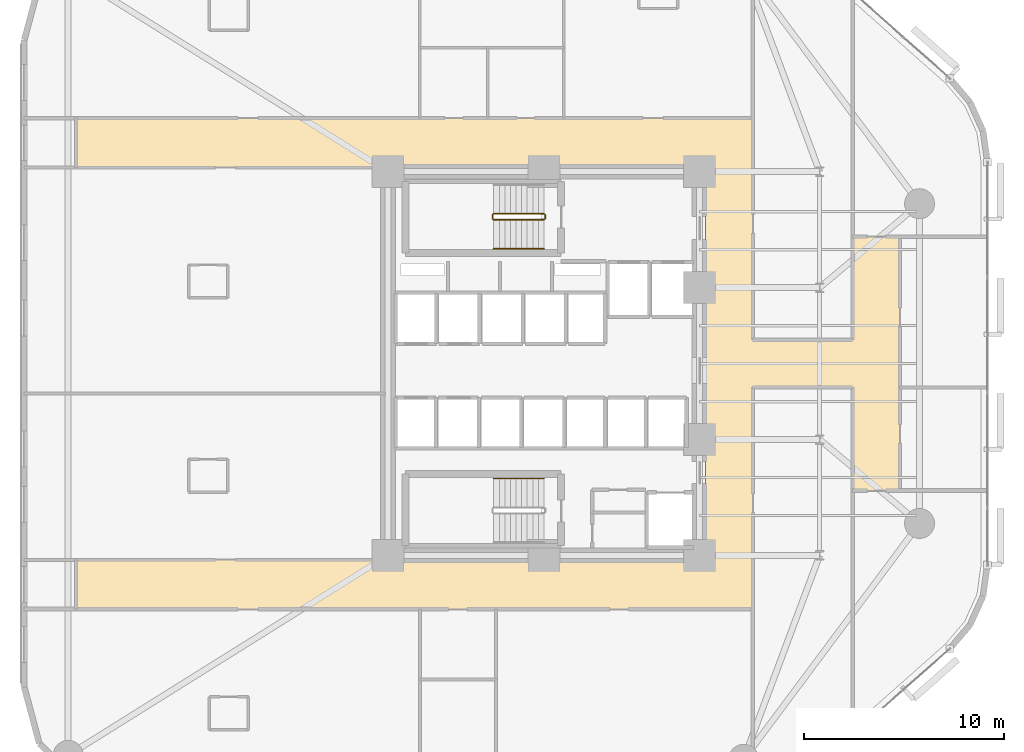
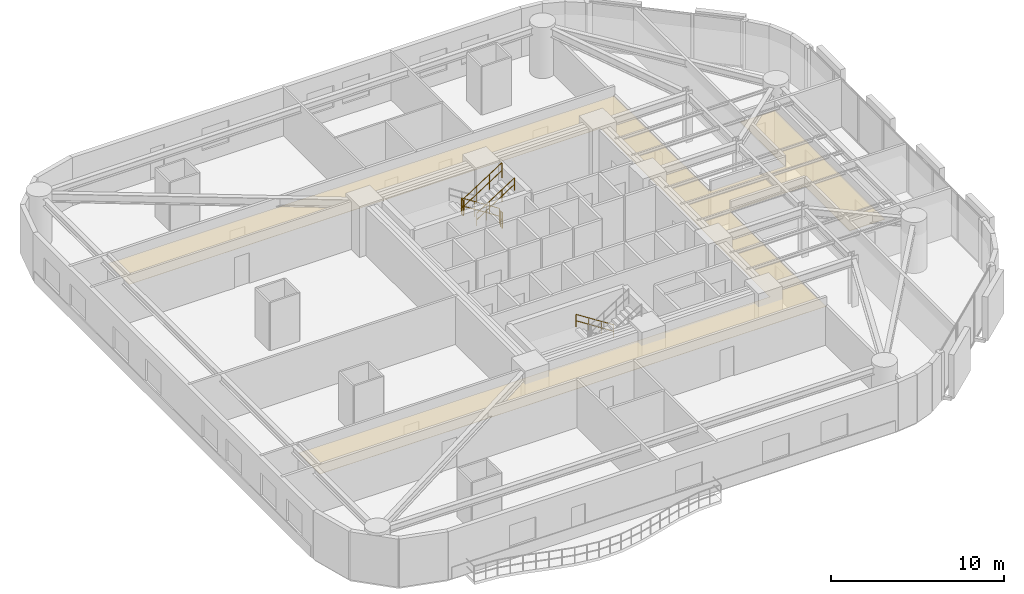
# One storey, part 15 of 16: 6 railings, 1 covering.
"""IFC4 building model written with IfcOpenShell, lengths in metres."""

from ifc_helpers import new_model, si_unit, direction, frame, origin, origin_2d, place, context, subcontext, project, spatial, polyline, circle, outline, extrude, material, layer, layer_set, type_object, element, save


model = new_model("IFC4")

# Units and contexts
model_context = context("Model", 3, precision=1e-05, world=origin(), true_north=direction((0.0, 1.0)))
body_context = subcontext(model_context, "Body", "Model", "MODEL_VIEW")
ifc_project = project(units=[si_unit("LENGTHUNIT", "METRE"), si_unit("AREAUNIT", "SQUARE_METRE"), si_unit("VOLUMEUNIT", "CUBIC_METRE"), si_unit("PLANEANGLEUNIT", "RADIAN"), si_unit("MASSUNIT", "GRAM", prefix="KILO")], contexts=[model_context])

# Site, building, storey
site_placement = place(None, origin())
site = spatial("IfcSite", under=ifc_project, at=site_placement, CompositionType="ELEMENT")
building_placement = place(site_placement, origin())
building = spatial("IfcBuilding", under=site, at=building_placement, Name="An Khanh Terracotta Commons", CompositionType="ELEMENT")
storey_placement = place(building_placement, frame((0.0, 0.0, 54.0)))
storey = spatial("IfcBuildingStorey", under=building, at=storey_placement, Name="L14", CompositionType="ELEMENT", Elevation=54.0)

# Covering
ifc_material_1 = material(Name="Perforated Mineral-Fibre Acoustic Tile")
ifc_layer = layer(ifc_material_1, 0.02001953125, Name="Perforated Mineral-Fibre Acoustic Tile")
ifc_layer_set = layer_set([ifc_layer], Name="Perforated Mineral-Fibre Acoustic Tile")
covering_type = type_object("IfcCoveringType", Name="CEIL-ACOUSTIC-18", PredefinedType="CEILING", material=ifc_layer_set)
covering_placement = place(storey_placement, frame((0.0, 0.0, 2.64990234375)))
element("IfcCovering", 1, at=covering_placement, inside=storey, type_object=covering_type, Name="L14 Corridor Ceiling", PredefinedType="CEILING", context=body_context, shape_type="SweptSolid", body=[
    extrude(outline(polyline([(6.0, 11.719970703125), (6.0, 14.179931640625), (37.5, 14.179931640625), (37.5, 33.820068359375), (6.0, 33.820068359375), (6.0, 36.280029296875), (37.5, 36.280029296875), (39.85009765625, 36.280029296875), (39.85009765625, 33.820068359375), (39.85009765625, 25.179931640625), (44.85009765625, 25.179931640625), (44.85009765625, 30.35009765625), (47.199951171875, 30.35009765625), (47.199951171875, 25.179931640625), (47.199951171875, 22.820068359375), (47.199951171875, 17.64990234375), (44.85009765625, 17.64990234375), (44.85009765625, 22.820068359375), (39.85009765625, 22.820068359375), (39.85009765625, 14.179931640625), (39.85009765625, 11.719970703125), (37.5, 11.719970703125), (6.0, 11.719970703125)])), origin(), (0.0, 0.0, 1.0), 0.02001953125),
])

# Railings
ifc_material_2 = material(Name="Brushed Stainless Steel 316", Category="steel")
railing_type_1 = type_object("IfcRailingType", Name="RAIL-HANDRAIL-900", PredefinedType="HANDRAIL", material=ifc_material_2)
railing_1_placement = place(storey_placement, frame((26.889892578125, 29.75, 1.97998046875)))
element("IfcRailing", 2, at=railing_1_placement, inside=storey, type_object=railing_type_1, Name="L14 ST-01 stair handrail 2", PredefinedType="HANDRAIL", context=body_context, shape_type="SweptSolid", body=[
    extrude(circle(Radius=0.02392578125, at=origin_2d()), frame((0.0, 0.0, 0.8759765625), z_axis=(0.841162588446, 0.0, 0.540782303519), x_axis=(0.0, 1.0, 0.0)), (0.0, 0.0, 1.0), 2.995849609375),
    extrude(circle(Radius=0.02392578125, at=origin_2d()), frame((0.0, 0.0, 0.42578125), z_axis=(0.841162588446, 0.0, 0.540782303519), x_axis=(0.0, 1.0, 0.0)), (0.0, 0.0, 1.0), 2.995849609375),
    extrude(circle(Radius=0.02099609375, at=origin_2d()), origin(), (0.0, 0.0, 1.0), 0.851806640625),
    extrude(circle(Radius=0.02099609375, at=origin_2d()), frame((0.840087890625, 0.0, 0.5400390625)), (0.0, 0.0, 1.0), 0.851806640625),
    extrude(circle(Radius=0.02099609375, at=origin_2d()), frame((1.679931640625, 0.0, 1.080078125)), (0.0, 0.0, 1.0), 0.851806640625),
    extrude(circle(Radius=0.02099609375, at=origin_2d()), frame((2.52001953125, 0.0, 1.6201171875)), (0.0, 0.0, 1.0), 0.851806640625),
])
railing_2_placement = place(storey_placement, frame((29.409912109375, 18.25, 0.179931640625)))
element("IfcRailing", 3, at=railing_2_placement, inside=storey, type_object=railing_type_1, Name="L14 ST-02 stair handrail 1", PredefinedType="HANDRAIL", context=body_context, shape_type="SweptSolid", body=[
    extrude(circle(Radius=0.02392578125, at=origin_2d()), frame((0.0, 0.0, 0.8759765625), z_axis=(-0.841162588446, 0.0, 0.540782303519), x_axis=(0.0, -1.0, 0.0)), (0.0, 0.0, 1.0), 2.995849609375),
    extrude(circle(Radius=0.02392578125, at=origin_2d()), frame((0.0, 0.0, 0.42578125), z_axis=(-0.841162588446, 0.0, 0.540782303519), x_axis=(0.0, -1.0, 0.0)), (0.0, 0.0, 1.0), 2.995849609375),
    extrude(circle(Radius=0.02099609375, at=origin_2d()), origin(), (0.0, 0.0, 1.0), 0.851806640625),
    extrude(circle(Radius=0.02099609375, at=origin_2d()), frame((-0.840087890625, 0.0, 0.5400390625)), (0.0, 0.0, 1.0), 0.851806640625),
    extrude(circle(Radius=0.02099609375, at=origin_2d()), frame((-1.679931640625, 0.0, 1.080078125)), (0.0, 0.0, 1.0), 0.851806640625),
    extrude(circle(Radius=0.02099609375, at=origin_2d()), frame((-2.52001953125, 0.0, 1.6201171875)), (0.0, 0.0, 1.0), 0.851806640625),
])
ifc_material_3 = material(Name="Powder-Coated Steel S355J2", Category="steel")
railing_type_2 = type_object("IfcRailingType", Name="RAIL-STAIR-GUARD-1100", PredefinedType="BALUSTRADE", material=ifc_material_3)
railing_3_placement = place(storey_placement, frame((29.409912109375, 31.5, 0.179931640625)))
element("IfcRailing", 4, at=railing_3_placement, inside=storey, type_object=railing_type_2, Name="L14 ST-01 stair guard 1", PredefinedType="BALUSTRADE", context=body_context, shape_type="SweptSolid", body=[
    extrude(circle(Radius=0.02392578125, at=origin_2d()), frame((0.0, 0.0, 1.076171875), z_axis=(-0.841162588446, 0.0, 0.540782303519), x_axis=(0.0, -1.0, 0.0)), (0.0, 0.0, 1.0), 2.995849609375),
    extrude(circle(Radius=0.02392578125, at=origin_2d()), frame((0.0, 0.0, 0.52587890625), z_axis=(-0.841162588446, 0.0, 0.540782303519), x_axis=(0.0, -1.0, 0.0)), (0.0, 0.0, 1.0), 2.995849609375),
    extrude(circle(Radius=0.02099609375, at=origin_2d()), origin(), (0.0, 0.0, 1.0), 1.052001953125),
    extrude(circle(Radius=0.02099609375, at=origin_2d()), frame((-0.840087890625, 0.0, 0.5400390625)), (0.0, 0.0, 1.0), 1.052001953125),
    extrude(circle(Radius=0.02099609375, at=origin_2d()), frame((-1.679931640625, 0.0, 1.080078125)), (0.0, 0.0, 1.0), 1.052001953125),
    extrude(circle(Radius=0.02099609375, at=origin_2d()), frame((-2.52001953125, 0.0, 1.6201171875)), (0.0, 0.0, 1.0), 1.052001953125),
])
railing_4_placement = place(storey_placement, frame((26.840087890625, 31.449951171875, 1.800048828125)))
element("IfcRailing", 5, at=railing_4_placement, inside=storey, type_object=railing_type_2, Name="L14 ST-01 stair guard 2", PredefinedType="BALUSTRADE", context=body_context, shape_type="SweptSolid", body=[
    extrude(circle(Radius=0.02392578125, at=origin_2d()), frame((0.0, 0.0, 1.076171875), z_axis=(0.0, -1.0, 0.0), x_axis=(1.0, 0.0, 0.0)), (0.0, 0.0, 1.0), 0.199951171875),
    extrude(circle(Radius=0.02392578125, at=origin_2d()), frame((0.0, 0.0, 0.52587890625), z_axis=(0.0, -1.0, 0.0), x_axis=(1.0, 0.0, 0.0)), (0.0, 0.0, 1.0), 0.199951171875),
    extrude(circle(Radius=0.02099609375, at=origin_2d()), origin(), (0.0, 0.0, 1.0), 1.052001953125),
    extrude(circle(Radius=0.02099609375, at=origin_2d()), frame((0.0, -0.199951171875, 0.0)), (0.0, 0.0, 1.0), 1.052001953125),
])
railing_5_placement = place(storey_placement, frame((26.889892578125, 31.199951171875, 1.97998046875)))
element("IfcRailing", 6, at=railing_5_placement, inside=storey, type_object=railing_type_2, Name="L14 ST-01 stair guard 3", PredefinedType="BALUSTRADE", context=body_context, shape_type="SweptSolid", body=[
    extrude(circle(Radius=0.02392578125, at=origin_2d()), frame((0.0, 0.0, 1.076171875), z_axis=(0.841162588446, 0.0, 0.540782303519), x_axis=(0.0, 1.0, 0.0)), (0.0, 0.0, 1.0), 2.995849609375),
    extrude(circle(Radius=0.02392578125, at=origin_2d()), frame((0.0, 0.0, 0.52587890625), z_axis=(0.841162588446, 0.0, 0.540782303519), x_axis=(0.0, 1.0, 0.0)), (0.0, 0.0, 1.0), 2.995849609375),
    extrude(circle(Radius=0.02099609375, at=origin_2d()), origin(), (0.0, 0.0, 1.0), 1.052001953125),
    extrude(circle(Radius=0.02099609375, at=origin_2d()), frame((0.840087890625, 0.0, 0.5400390625)), (0.0, 0.0, 1.0), 1.052001953125),
    extrude(circle(Radius=0.02099609375, at=origin_2d()), frame((1.679931640625, 0.0, 1.080078125)), (0.0, 0.0, 1.0), 1.052001953125),
    extrude(circle(Radius=0.02099609375, at=origin_2d()), frame((2.52001953125, 0.0, 1.6201171875)), (0.0, 0.0, 1.0), 1.052001953125),
])
railing_6_placement = place(storey_placement, frame((29.4599609375, 31.449951171875, 0.0)))
element("IfcRailing", 7, at=railing_6_placement, inside=storey, type_object=railing_type_2, Name="L14 ST-01 stair guard 4", PredefinedType="BALUSTRADE", context=body_context, shape_type="SweptSolid", body=[
    extrude(circle(Radius=0.02392578125, at=origin_2d()), frame((0.0, 0.0, 1.076171875), z_axis=(0.0, -1.0, 0.0), x_axis=(1.0, 0.0, 0.0)), (0.0, 0.0, 1.0), 0.199951171875),
    extrude(circle(Radius=0.02392578125, at=origin_2d()), frame((0.0, 0.0, 0.52587890625), z_axis=(0.0, -1.0, 0.0), x_axis=(1.0, 0.0, 0.0)), (0.0, 0.0, 1.0), 0.199951171875),
    extrude(circle(Radius=0.02099609375, at=origin_2d()), origin(), (0.0, 0.0, 1.0), 1.052001953125),
    extrude(circle(Radius=0.02099609375, at=origin_2d()), frame((0.0, -0.199951171875, 0.0)), (0.0, 0.0, 1.0), 1.052001953125),
])

save(model, "model.ifc")
